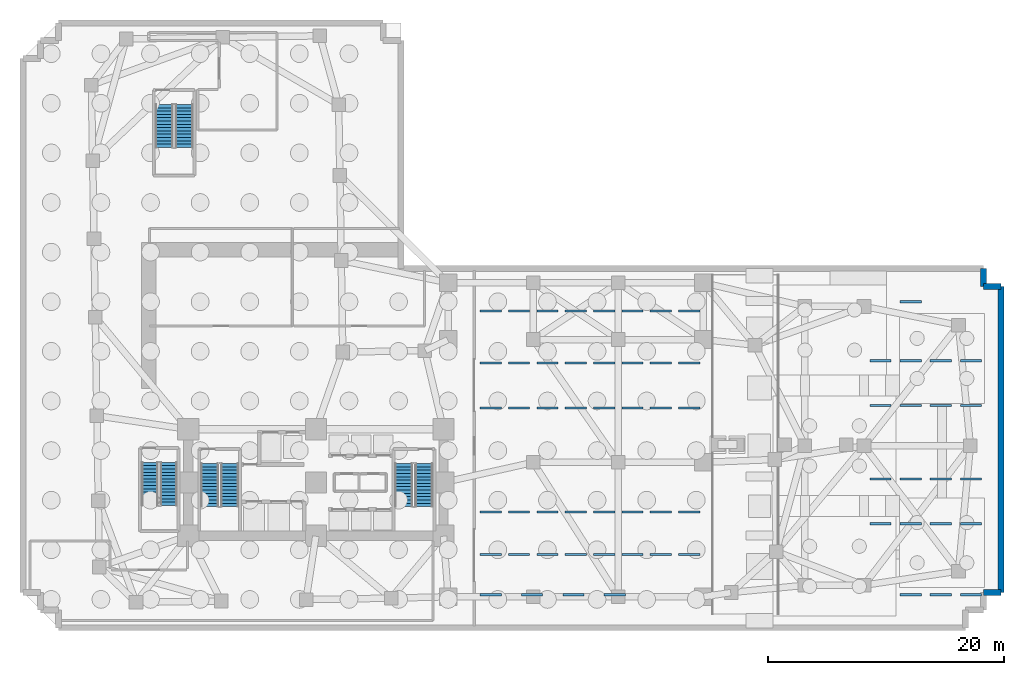
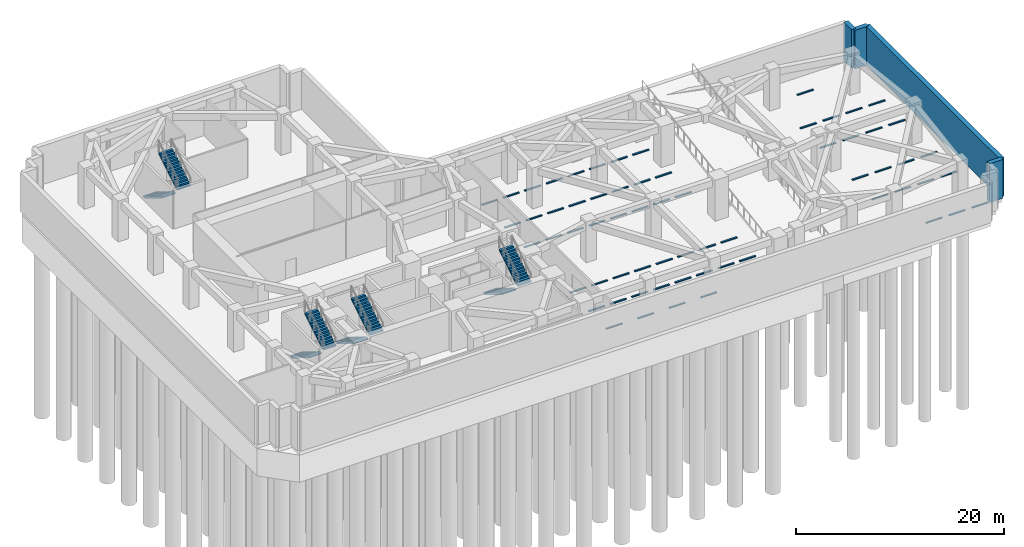
# One storey, part 7 of 11: 64 discrete accessories, 8 stair flights, 4 walls, 4 elements without a shape of their own.
"""IFC4 building model written with IfcOpenShell, lengths in metres."""

from ifc_helpers import new_model, si_unit, direction, frame, frame_2d, origin, origin_2d, place, context, subcontext, project, spatial, polyline, rectangle, outline, extrude, material, layer, layer_set, type_object, element, aggregate, save


model = new_model("IFC4")

# Units and contexts
model_context = context("Model", 3, precision=1e-05, world=origin(), true_north=direction((0.0, 1.0)))
body_context = subcontext(model_context, "Body", "Model", "MODEL_VIEW")
ifc_project = project(units=[si_unit("LENGTHUNIT", "METRE"), si_unit("AREAUNIT", "SQUARE_METRE"), si_unit("VOLUMEUNIT", "CUBIC_METRE"), si_unit("PLANEANGLEUNIT", "RADIAN"), si_unit("MASSUNIT", "GRAM", prefix="KILO")], contexts=[model_context])

# Site, building, storey
site_placement = place(None, origin())
site = spatial("IfcSite", under=ifc_project, at=site_placement, CompositionType="ELEMENT")
building_placement = place(site_placement, origin())
building = spatial("IfcBuilding", under=site, at=building_placement, Name="Gaonmaruhae Medical Tower", CompositionType="ELEMENT")
storey_placement = place(building_placement, frame((0.0, 0.0, -9.60009765625)))
storey = spatial("IfcBuildingStorey", under=building, at=storey_placement, Name="B02", CompositionType="ELEMENT", Elevation=-9.60009765625)

# Walls
ifc_material_1 = material(Name="Concrete C50/60", Category="concrete")
ifc_layer = layer(ifc_material_1, 0.5)
ifc_layer_set = layer_set([ifc_layer], Name="Concrete C50/60")
wall_type = type_object("IfcWallType", Name="RW-500 Basement Perimeter Retaining Wall", PredefinedType="USERDEFINED", material=ifc_layer_set)
wall_1_placement = place(storey_placement, frame((82.800048828125, 3.0, 0.0), z_axis=(0.0, 0.0, 1.0), x_axis=(-1.0, 0.0, 0.0)))
element("IfcWall", 1, at=wall_1_placement, inside=storey, type_object=wall_type, Name="B02 Perimeter Retaining Wall RW05", ObjectType="RETAININGWALL", PredefinedType="USERDEFINED", context=body_context, shape_type="SweptSolid", body=[
    extrude(rectangle(XDim=1.5, YDim=0.5, at=frame_2d((0.75, 0.0))), origin(), (0.0, 0.0, 1.0), 4.550048828125),
])
wall_2_placement = place(storey_placement, frame((82.800048828125, 28.89990234375, 0.0), z_axis=(0.0, 0.0, 1.0), x_axis=(0.0, -1.0, 0.0)))
element("IfcWall", 2, at=wall_2_placement, inside=storey, type_object=wall_type, Name="B02 Perimeter Retaining Wall RW06", ObjectType="RETAININGWALL", PredefinedType="USERDEFINED", context=body_context, shape_type="SweptSolid", body=[
    extrude(rectangle(XDim=25.89990234375, YDim=0.5, at=frame_2d((12.949951171875, 0.0))), origin(), (0.0, 0.0, 1.0), 4.550048828125),
])
for number, where, z_axis, x_axis, name in (
    (3, (81.300048828125, 28.89990234375, 0.0), (0.0, 0.0, 1.0), (1.0, 0.0, 0.0), "B02 Perimeter Retaining Wall RW07"),
    (4, (81.300048828125, 30.39990234375, 0.0), (0.0, 0.0, 1.0), (0.0, -1.0, 0.0), "B02 Perimeter Retaining Wall RW08"),
):
    element("IfcWall", number, at=place(storey_placement, frame(where, z_axis=z_axis, x_axis=x_axis)), inside=storey, type_object=wall_type, Name=name, ObjectType="RETAININGWALL", PredefinedType="USERDEFINED", context=body_context, shape_type="SweptSolid", body=[
        extrude(rectangle(XDim=1.5, YDim=0.5, at=frame_2d((0.75, 0.0))), origin(), (0.0, 0.0, 1.0), 4.550048828125),
    ])

# Stair, stair flights
ifc_material_2 = material(Name="Concrete C40/50", Category="concrete")
stair_type_1 = type_object("IfcStairType", Name="ST-T1 Primary Core Escape Dogleg Stair", PredefinedType="TWO_QUARTER_TURN_STAIR", material=ifc_material_2)
stair_1_placement = place(storey_placement, origin())
stair_1 = element("IfcStair", 5, at=stair_1_placement, inside=storey, type_object=stair_type_1, Name="B02 Protected Escape Stair ST-01", PredefinedType="TWO_QUARTER_TURN_STAIR")
stair_flight_type_1 = type_object("IfcStairFlightType", Name="SF-T1 Primary Core Precast Stair Flight", PredefinedType="STRAIGHT", material=ifc_material_2)
stair_flight_1_placement = place(storey_placement, frame((15.800048828125, 13.89990234375, 0.0), z_axis=(0.0, 0.0, 1.0), x_axis=(0.0, -1.0, 0.0)))
stair_flight_1 = element("IfcStairFlight", 6, at=stair_flight_1_placement, type_object=stair_flight_type_1, Name="ST-01 flight 1", NumberOfRisers=14, NumberOfTreads=13, PredefinedType="STRAIGHT", RiserHeight=0.171428571, TreadLength=0.28, context=body_context, shape_type="SweptSolid", body=[
    extrude(outline(polyline([(0.0, 0.0), (0.0, 0.17138671875), (0.280029296875, 0.17138671875), (0.280029296875, 0.3427734375), (0.56005859375, 0.3427734375), (0.56005859375, 0.514404296875), (0.840087890625, 0.514404296875), (0.840087890625, 0.685791015625), (1.1201171875, 0.685791015625), (1.1201171875, 0.857177734375), (1.39990234375, 0.857177734375), (1.39990234375, 1.028564453125), (1.679931640625, 1.028564453125), (1.679931640625, 1.199951171875), (1.9599609375, 1.199951171875), (1.9599609375, 1.371337890625), (2.239990234375, 1.371337890625), (2.239990234375, 1.54296875), (2.52001953125, 1.54296875), (2.52001953125, 1.71435546875), (2.800048828125, 1.71435546875), (2.800048828125, 1.8857421875), (3.080078125, 1.8857421875), (3.080078125, 2.05712890625), (3.360107421875, 2.05712890625), (3.360107421875, 2.228515625), (3.639892578125, 2.228515625), (3.639892578125, 2.39990234375), (3.639892578125, 2.052734375), (0.287109375, 0.0), (0.0, 0.0)])), frame((0.0, 0.75, 0.0), z_axis=(0.0, -1.0, 0.0), x_axis=(1.0, 0.0, 0.0)), (0.0, 0.0, 1.0), 1.5),
])
stair_flight_2_placement = place(storey_placement, frame((17.5, 10.260009765625, 2.400146484375), z_axis=(0.0, 0.0, 1.0), x_axis=(0.0, 1.0, 0.0)))
stair_flight_2 = element("IfcStairFlight", 7, at=stair_flight_2_placement, type_object=stair_flight_type_1, Name="ST-01 flight 2", NumberOfRisers=14, NumberOfTreads=13, PredefinedType="STRAIGHT", RiserHeight=0.171428571, TreadLength=0.28, context=body_context, shape_type="SweptSolid", body=[
    extrude(outline(polyline([(0.0, 0.0), (0.0, 0.17138671875), (0.280029296875, 0.17138671875), (0.280029296875, 0.3427734375), (0.56005859375, 0.3427734375), (0.56005859375, 0.514404296875), (0.840087890625, 0.514404296875), (0.840087890625, 0.685791015625), (1.1201171875, 0.685791015625), (1.1201171875, 0.857177734375), (1.39990234375, 0.857177734375), (1.39990234375, 1.028564453125), (1.679931640625, 1.028564453125), (1.679931640625, 1.199951171875), (1.9599609375, 1.199951171875), (1.9599609375, 1.371337890625), (2.239990234375, 1.371337890625), (2.239990234375, 1.54296875), (2.52001953125, 1.54296875), (2.52001953125, 1.71435546875), (2.800048828125, 1.71435546875), (2.800048828125, 1.8857421875), (3.080078125, 1.8857421875), (3.080078125, 2.05712890625), (3.360107421875, 2.05712890625), (3.360107421875, 2.228515625), (3.639892578125, 2.228515625), (3.639892578125, 2.39990234375), (3.639892578125, 2.052734375), (0.287109375, 0.0), (0.0, 0.0)])), frame((0.0, 0.75, 0.0), z_axis=(0.0, -1.0, 0.0), x_axis=(1.0, 0.0, 0.0)), (0.0, 0.0, 1.0), 1.5),
])
aggregate(stair_1, [stair_flight_1, stair_flight_2])

stair_2_placement = place(storey_placement, origin())
stair_2 = element("IfcStair", 8, at=stair_2_placement, inside=storey, type_object=stair_type_1, Name="B02 Protected Escape Stair ST-02", PredefinedType="TWO_QUARTER_TURN_STAIR")
stair_flight_3_placement = place(storey_placement, frame((32.25, 13.89990234375, 0.0), z_axis=(0.0, 0.0, 1.0), x_axis=(0.0, -1.0, 0.0)))
stair_flight_3 = element("IfcStairFlight", 9, at=stair_flight_3_placement, type_object=stair_flight_type_1, Name="ST-02 flight 1", NumberOfRisers=14, NumberOfTreads=13, PredefinedType="STRAIGHT", RiserHeight=0.171428571, TreadLength=0.28, context=body_context, shape_type="SweptSolid", body=[
    extrude(outline(polyline([(0.0, 0.0), (0.0, 0.17138671875), (0.280029296875, 0.17138671875), (0.280029296875, 0.3427734375), (0.56005859375, 0.3427734375), (0.56005859375, 0.514404296875), (0.840087890625, 0.514404296875), (0.840087890625, 0.685791015625), (1.1201171875, 0.685791015625), (1.1201171875, 0.857177734375), (1.39990234375, 0.857177734375), (1.39990234375, 1.028564453125), (1.679931640625, 1.028564453125), (1.679931640625, 1.199951171875), (1.9599609375, 1.199951171875), (1.9599609375, 1.371337890625), (2.239990234375, 1.371337890625), (2.239990234375, 1.54296875), (2.52001953125, 1.54296875), (2.52001953125, 1.71435546875), (2.800048828125, 1.71435546875), (2.800048828125, 1.8857421875), (3.080078125, 1.8857421875), (3.080078125, 2.05712890625), (3.360107421875, 2.05712890625), (3.360107421875, 2.228515625), (3.639892578125, 2.228515625), (3.639892578125, 2.39990234375), (3.639892578125, 2.052734375), (0.287109375, 0.0), (0.0, 0.0)])), frame((0.0, 0.75, 0.0), z_axis=(0.0, -1.0, 0.0), x_axis=(1.0, 0.0, 0.0)), (0.0, 0.0, 1.0), 1.5),
])
stair_flight_4_placement = place(storey_placement, frame((33.949951171875, 10.260009765625, 2.400146484375), z_axis=(0.0, 0.0, 1.0), x_axis=(0.0, 1.0, 0.0)))
stair_flight_4 = element("IfcStairFlight", 10, at=stair_flight_4_placement, type_object=stair_flight_type_1, Name="ST-02 flight 2", NumberOfRisers=14, NumberOfTreads=13, PredefinedType="STRAIGHT", RiserHeight=0.171428571, TreadLength=0.28, context=body_context, shape_type="SweptSolid", body=[
    extrude(outline(polyline([(0.0, 0.0), (0.0, 0.17138671875), (0.280029296875, 0.17138671875), (0.280029296875, 0.3427734375), (0.56005859375, 0.3427734375), (0.56005859375, 0.514404296875), (0.840087890625, 0.514404296875), (0.840087890625, 0.685791015625), (1.1201171875, 0.685791015625), (1.1201171875, 0.857177734375), (1.39990234375, 0.857177734375), (1.39990234375, 1.028564453125), (1.679931640625, 1.028564453125), (1.679931640625, 1.199951171875), (1.9599609375, 1.199951171875), (1.9599609375, 1.371337890625), (2.239990234375, 1.371337890625), (2.239990234375, 1.54296875), (2.52001953125, 1.54296875), (2.52001953125, 1.71435546875), (2.800048828125, 1.71435546875), (2.800048828125, 1.8857421875), (3.080078125, 1.8857421875), (3.080078125, 2.05712890625), (3.360107421875, 2.05712890625), (3.360107421875, 2.228515625), (3.639892578125, 2.228515625), (3.639892578125, 2.39990234375), (3.639892578125, 2.052734375), (0.287109375, 0.0), (0.0, 0.0)])), frame((0.0, 0.75, 0.0), z_axis=(0.0, -1.0, 0.0), x_axis=(1.0, 0.0, 0.0)), (0.0, 0.0, 1.0), 1.5),
])
aggregate(stair_2, [stair_flight_3, stair_flight_4])

stair_type_2 = type_object("IfcStairType", Name="ST-T2 Zone 1 Escape Dogleg Stair", PredefinedType="TWO_QUARTER_TURN_STAIR", material=ifc_material_2)
stair_3_placement = place(storey_placement, origin())
stair_3 = element("IfcStair", 11, at=stair_3_placement, inside=storey, type_object=stair_type_2, Name="B02 Protected Escape Stair ST-03", PredefinedType="TWO_QUARTER_TURN_STAIR")
stair_flight_type_2 = type_object("IfcStairFlightType", Name="SF-T2 Zone 1 Precast Stair Flight", PredefinedType="STRAIGHT", material=ifc_material_2)
stair_flight_5_placement = place(storey_placement, frame((10.75, 14.0, 0.0), z_axis=(0.0, 0.0, 1.0), x_axis=(0.0, -1.0, 0.0)))
stair_flight_5 = element("IfcStairFlight", 12, at=stair_flight_5_placement, type_object=stair_flight_type_2, Name="ST-03 flight 1", NumberOfRisers=14, NumberOfTreads=13, PredefinedType="STRAIGHT", RiserHeight=0.171428571, TreadLength=0.28, context=body_context, shape_type="SweptSolid", body=[
    extrude(outline(polyline([(0.0, 0.0), (0.0, 0.17138671875), (0.280029296875, 0.17138671875), (0.280029296875, 0.3427734375), (0.56005859375, 0.3427734375), (0.56005859375, 0.514404296875), (0.840087890625, 0.514404296875), (0.840087890625, 0.685791015625), (1.1201171875, 0.685791015625), (1.1201171875, 0.857177734375), (1.39990234375, 0.857177734375), (1.39990234375, 1.028564453125), (1.679931640625, 1.028564453125), (1.679931640625, 1.199951171875), (1.9599609375, 1.199951171875), (1.9599609375, 1.371337890625), (2.239990234375, 1.371337890625), (2.239990234375, 1.54296875), (2.52001953125, 1.54296875), (2.52001953125, 1.71435546875), (2.800048828125, 1.71435546875), (2.800048828125, 1.8857421875), (3.080078125, 1.8857421875), (3.080078125, 2.05712890625), (3.360107421875, 2.05712890625), (3.360107421875, 2.228515625), (3.639892578125, 2.228515625), (3.639892578125, 2.39990234375), (3.639892578125, 2.052734375), (0.287109375, 0.0), (0.0, 0.0)])), frame((0.0, 0.699951171875, 0.0), z_axis=(0.0, -1.0, 0.0), x_axis=(1.0, 0.0, 0.0)), (0.0, 0.0, 1.0), 1.39990234375),
])
stair_flight_6_placement = place(storey_placement, frame((12.35009765625, 10.360107421875, 2.400146484375), z_axis=(0.0, 0.0, 1.0), x_axis=(0.0, 1.0, 0.0)))
stair_flight_6 = element("IfcStairFlight", 13, at=stair_flight_6_placement, type_object=stair_flight_type_2, Name="ST-03 flight 2", NumberOfRisers=14, NumberOfTreads=13, PredefinedType="STRAIGHT", RiserHeight=0.171428571, TreadLength=0.28, context=body_context, shape_type="SweptSolid", body=[
    extrude(outline(polyline([(0.0, 0.0), (0.0, 0.17138671875), (0.280029296875, 0.17138671875), (0.280029296875, 0.3427734375), (0.56005859375, 0.3427734375), (0.56005859375, 0.514404296875), (0.840087890625, 0.514404296875), (0.840087890625, 0.685791015625), (1.1201171875, 0.685791015625), (1.1201171875, 0.857177734375), (1.39990234375, 0.857177734375), (1.39990234375, 1.028564453125), (1.679931640625, 1.028564453125), (1.679931640625, 1.199951171875), (1.9599609375, 1.199951171875), (1.9599609375, 1.371337890625), (2.239990234375, 1.371337890625), (2.239990234375, 1.54296875), (2.52001953125, 1.54296875), (2.52001953125, 1.71435546875), (2.800048828125, 1.71435546875), (2.800048828125, 1.8857421875), (3.080078125, 1.8857421875), (3.080078125, 2.05712890625), (3.360107421875, 2.05712890625), (3.360107421875, 2.228515625), (3.639892578125, 2.228515625), (3.639892578125, 2.39990234375), (3.639892578125, 2.052734375), (0.287109375, 0.0), (0.0, 0.0)])), frame((0.0, 0.699951171875, 0.0), z_axis=(0.0, -1.0, 0.0), x_axis=(1.0, 0.0, 0.0)), (0.0, 0.0, 1.0), 1.39990234375),
])
aggregate(stair_3, [stair_flight_5, stair_flight_6])

stair_type_3 = type_object("IfcStairType", Name="ST-T3 Podium Escape Dogleg Stair", PredefinedType="TWO_QUARTER_TURN_STAIR", material=ifc_material_2)
stair_4_placement = place(storey_placement, origin())
stair_4 = element("IfcStair", 14, at=stair_4_placement, inside=storey, type_object=stair_type_3, Name="B02 Protected Escape Stair ST-05", PredefinedType="TWO_QUARTER_TURN_STAIR")
stair_flight_type_3 = type_object("IfcStairFlightType", Name="SF-T3 Podium Precast Stair Flight", PredefinedType="STRAIGHT", material=ifc_material_2)
stair_flight_7_placement = place(storey_placement, frame((11.949951171875, 44.300048828125, 0.0), z_axis=(0.0, 0.0, 1.0), x_axis=(0.0, -1.0, 0.0)))
stair_flight_7 = element("IfcStairFlight", 15, at=stair_flight_7_placement, type_object=stair_flight_type_3, Name="ST-05 flight 1", NumberOfRisers=14, NumberOfTreads=13, PredefinedType="STRAIGHT", RiserHeight=0.171428571, TreadLength=0.28, context=body_context, shape_type="SweptSolid", body=[
    extrude(outline(polyline([(0.0, 0.0), (0.0, 0.17138671875), (0.280029296875, 0.17138671875), (0.280029296875, 0.3427734375), (0.56005859375, 0.3427734375), (0.56005859375, 0.514404296875), (0.840087890625, 0.514404296875), (0.840087890625, 0.685791015625), (1.1201171875, 0.685791015625), (1.1201171875, 0.857177734375), (1.39990234375, 0.857177734375), (1.39990234375, 1.028564453125), (1.679931640625, 1.028564453125), (1.679931640625, 1.199951171875), (1.9599609375, 1.199951171875), (1.9599609375, 1.371337890625), (2.239990234375, 1.371337890625), (2.239990234375, 1.54296875), (2.52001953125, 1.54296875), (2.52001953125, 1.71435546875), (2.800048828125, 1.71435546875), (2.800048828125, 1.8857421875), (3.080078125, 1.8857421875), (3.080078125, 2.05712890625), (3.360107421875, 2.05712890625), (3.360107421875, 2.228515625), (3.639892578125, 2.228515625), (3.639892578125, 2.39990234375), (3.639892578125, 2.052734375), (0.287109375, 0.0), (0.0, 0.0)])), frame((0.0, 0.75, 0.0), z_axis=(0.0, -1.0, 0.0), x_axis=(1.0, 0.0, 0.0)), (0.0, 0.0, 1.0), 1.5),
])
stair_flight_8_placement = place(storey_placement, frame((13.64990234375, 40.659912109375, 2.400146484375), z_axis=(0.0, 0.0, 1.0), x_axis=(0.0, 1.0, 0.0)))
stair_flight_8 = element("IfcStairFlight", 16, at=stair_flight_8_placement, type_object=stair_flight_type_3, Name="ST-05 flight 2", NumberOfRisers=14, NumberOfTreads=13, PredefinedType="STRAIGHT", RiserHeight=0.171428571, TreadLength=0.28, context=body_context, shape_type="SweptSolid", body=[
    extrude(outline(polyline([(0.0, 0.0), (0.0, 0.17138671875), (0.280029296875, 0.17138671875), (0.280029296875, 0.3427734375), (0.56005859375, 0.3427734375), (0.56005859375, 0.514404296875), (0.840087890625, 0.514404296875), (0.840087890625, 0.685791015625), (1.1201171875, 0.685791015625), (1.1201171875, 0.857177734375), (1.39990234375, 0.857177734375), (1.39990234375, 1.028564453125), (1.679931640625, 1.028564453125), (1.679931640625, 1.199951171875), (1.9599609375, 1.199951171875), (1.9599609375, 1.371337890625), (2.239990234375, 1.371337890625), (2.239990234375, 1.54296875), (2.52001953125, 1.54296875), (2.52001953125, 1.71435546875), (2.800048828125, 1.71435546875), (2.800048828125, 1.8857421875), (3.080078125, 1.8857421875), (3.080078125, 2.05712890625), (3.360107421875, 2.05712890625), (3.360107421875, 2.228515625), (3.639892578125, 2.228515625), (3.639892578125, 2.39990234375), (3.639892578125, 2.052734375), (0.287109375, 0.0), (0.0, 0.0)])), frame((0.0, 0.75, 0.0), z_axis=(0.0, -1.0, 0.0), x_axis=(1.0, 0.0, 0.0)), (0.0, 0.0, 1.0), 1.5),
])
aggregate(stair_4, [stair_flight_7, stair_flight_8])

# Discrete accessories
ifc_material_3 = material(Name="Precast concrete C45/55", Category="concrete")
discrete_accessory_type_1 = type_object("IfcDiscreteAccessoryType", Name="PK-WS1 Car Parking Bay Wheel Stop", PredefinedType="USERDEFINED", material=ifc_material_3)
for number, where, z_axis, x_axis, name in (
    (17, (39.60009765625, 6.199951171875, 0.0), (0.0, 0.0, 1.0), (1.0, 0.0, 0.0), "B02 Car Parking Bay 01 Wheel Stop"),
    (18, (42.0, 6.199951171875, 0.0), (0.0, 0.0, 1.0), (1.0, 0.0, 0.0), "B02 Car Parking Bay 02 Wheel Stop"),
    (19, (44.39990234375, 6.199951171875, 0.0), (0.0, 0.0, 1.0), (1.0, 0.0, 0.0), "B02 Car Parking Bay 03 Wheel Stop"),
    (20, (46.800048828125, 6.199951171875, 0.0), (0.0, 0.0, 1.0), (1.0, 0.0, 0.0), "B02 Car Parking Bay 04 Wheel Stop"),
    (21, (49.199951171875, 6.199951171875, 0.0), (0.0, 0.0, 1.0), (1.0, 0.0, 0.0), "B02 Car Parking Bay 05 Wheel Stop"),
    (22, (51.60009765625, 6.199951171875, 0.0), (0.0, 0.0, 1.0), (1.0, 0.0, 0.0), "B02 Car Parking Bay 06 Wheel Stop"),
    (23, (54.0, 6.199951171875, 0.0), (0.0, 0.0, 1.0), (1.0, 0.0, 0.0), "B02 Car Parking Bay 07 Wheel Stop"),
    (24, (56.39990234375, 6.199951171875, 0.0), (0.0, 0.0, 1.0), (1.0, 0.0, 0.0), "B02 Car Parking Bay 08 Wheel Stop"),
    (25, (39.60009765625, 9.800048828125, 0.0), (0.0, 0.0, 1.0), (1.0, 0.0, 0.0), "B02 Car Parking Bay 09 Wheel Stop"),
    (26, (42.0, 9.800048828125, 0.0), (0.0, 0.0, 1.0), (1.0, 0.0, 0.0), "B02 Car Parking Bay 10 Wheel Stop"),
    (27, (44.39990234375, 9.800048828125, 0.0), (0.0, 0.0, 1.0), (1.0, 0.0, 0.0), "B02 Car Parking Bay 11 Wheel Stop"),
    (28, (46.800048828125, 9.800048828125, 0.0), (0.0, 0.0, 1.0), (1.0, 0.0, 0.0), "B02 Car Parking Bay 12 Wheel Stop"),
    (29, (49.199951171875, 9.800048828125, 0.0), (0.0, 0.0, 1.0), (1.0, 0.0, 0.0), "B02 Car Parking Bay 13 Wheel Stop"),
    (30, (51.60009765625, 9.800048828125, 0.0), (0.0, 0.0, 1.0), (1.0, 0.0, 0.0), "B02 Car Parking Bay 14 Wheel Stop"),
    (31, (54.0, 9.800048828125, 0.0), (0.0, 0.0, 1.0), (1.0, 0.0, 0.0), "B02 Car Parking Bay 15 Wheel Stop"),
    (32, (56.39990234375, 9.800048828125, 0.0), (0.0, 0.0, 1.0), (1.0, 0.0, 0.0), "B02 Car Parking Bay 16 Wheel Stop"),
    (33, (39.60009765625, 18.60009765625, 0.0), (0.0, 0.0, 1.0), (1.0, 0.0, 0.0), "B02 Car Parking Bay 17 Wheel Stop"),
    (34, (42.0, 18.60009765625, 0.0), (0.0, 0.0, 1.0), (1.0, 0.0, 0.0), "B02 Car Parking Bay 18 Wheel Stop"),
    (35, (44.39990234375, 18.60009765625, 0.0), (0.0, 0.0, 1.0), (1.0, 0.0, 0.0), "B02 Car Parking Bay 19 Wheel Stop"),
    (36, (46.800048828125, 18.60009765625, 0.0), (0.0, 0.0, 1.0), (1.0, 0.0, 0.0), "B02 Car Parking Bay 20 Wheel Stop"),
    (37, (49.199951171875, 18.60009765625, 0.0), (0.0, 0.0, 1.0), (1.0, 0.0, 0.0), "B02 Car Parking Bay 21 Wheel Stop"),
    (38, (51.60009765625, 18.60009765625, 0.0), (0.0, 0.0, 1.0), (1.0, 0.0, 0.0), "B02 Car Parking Bay 22 Wheel Stop"),
    (39, (54.0, 18.60009765625, 0.0), (0.0, 0.0, 1.0), (1.0, 0.0, 0.0), "B02 Car Parking Bay 23 Wheel Stop"),
    (40, (56.39990234375, 18.60009765625, 0.0), (0.0, 0.0, 1.0), (1.0, 0.0, 0.0), "B02 Car Parking Bay 24 Wheel Stop"),
    (41, (39.60009765625, 22.39990234375, 0.0), (0.0, 0.0, 1.0), (1.0, 0.0, 0.0), "B02 Car Parking Bay 25 Wheel Stop"),
    (42, (42.0, 22.39990234375, 0.0), (0.0, 0.0, 1.0), (1.0, 0.0, 0.0), "B02 Car Parking Bay 26 Wheel Stop"),
    (43, (44.39990234375, 22.39990234375, 0.0), (0.0, 0.0, 1.0), (1.0, 0.0, 0.0), "B02 Car Parking Bay 27 Wheel Stop"),
    (44, (46.800048828125, 22.39990234375, 0.0), (0.0, 0.0, 1.0), (1.0, 0.0, 0.0), "B02 Car Parking Bay 28 Wheel Stop"),
    (45, (49.199951171875, 22.39990234375, 0.0), (0.0, 0.0, 1.0), (1.0, 0.0, 0.0), "B02 Car Parking Bay 29 Wheel Stop"),
    (46, (51.60009765625, 22.39990234375, 0.0), (0.0, 0.0, 1.0), (1.0, 0.0, 0.0), "B02 Car Parking Bay 30 Wheel Stop"),
    (47, (54.0, 22.39990234375, 0.0), (0.0, 0.0, 1.0), (1.0, 0.0, 0.0), "B02 Car Parking Bay 31 Wheel Stop"),
    (48, (56.39990234375, 22.39990234375, 0.0), (0.0, 0.0, 1.0), (1.0, 0.0, 0.0), "B02 Car Parking Bay 32 Wheel Stop"),
    (49, (39.60009765625, 26.800048828125, 0.0), (0.0, 0.0, 1.0), (1.0, 0.0, 0.0), "B02 Car Parking Bay 33 Wheel Stop"),
    (50, (42.0, 26.800048828125, 0.0), (0.0, 0.0, 1.0), (1.0, 0.0, 0.0), "B02 Car Parking Bay 34 Wheel Stop"),
    (51, (44.39990234375, 26.800048828125, 0.0), (0.0, 0.0, 1.0), (1.0, 0.0, 0.0), "B02 Car Parking Bay 35 Wheel Stop"),
    (52, (46.800048828125, 26.800048828125, 0.0), (0.0, 0.0, 1.0), (1.0, 0.0, 0.0), "B02 Car Parking Bay 36 Wheel Stop"),
    (53, (49.199951171875, 26.800048828125, 0.0), (0.0, 0.0, 1.0), (1.0, 0.0, 0.0), "B02 Car Parking Bay 37 Wheel Stop"),
    (54, (51.60009765625, 26.800048828125, 0.0), (0.0, 0.0, 1.0), (1.0, 0.0, 0.0), "B02 Car Parking Bay 38 Wheel Stop"),
    (55, (54.0, 26.800048828125, 0.0), (0.0, 0.0, 1.0), (1.0, 0.0, 0.0), "B02 Car Parking Bay 39 Wheel Stop"),
    (56, (56.39990234375, 26.800048828125, 0.0), (0.0, 0.0, 1.0), (1.0, 0.0, 0.0), "B02 Car Parking Bay 40 Wheel Stop"),
    (57, (75.14990234375, 2.800048828125, 0.0), (0.0, 0.0, 1.0), (1.0, 0.0, 0.0), "B02 Car Parking Bay 41 Wheel Stop"),
    (58, (77.699951171875, 2.800048828125, 0.0), (0.0, 0.0, 1.0), (1.0, 0.0, 0.0), "B02 Car Parking Bay 42 Wheel Stop"),
    (59, (80.25, 2.800048828125, 0.0), (0.0, 0.0, 1.0), (1.0, 0.0, 0.0), "B02 Car Parking Bay 43 Wheel Stop"),
    (60, (72.60009765625, 8.800048828125, 0.0), (0.0, 0.0, 1.0), (1.0, 0.0, 0.0), "B02 Car Parking Bay 44 Wheel Stop"),
    (61, (75.14990234375, 8.800048828125, 0.0), (0.0, 0.0, 1.0), (1.0, 0.0, 0.0), "B02 Car Parking Bay 45 Wheel Stop"),
    (62, (77.699951171875, 8.800048828125, 0.0), (0.0, 0.0, 1.0), (1.0, 0.0, 0.0), "B02 Car Parking Bay 46 Wheel Stop"),
    (63, (80.25, 8.800048828125, 0.0), (0.0, 0.0, 1.0), (1.0, 0.0, 0.0), "B02 Car Parking Bay 47 Wheel Stop"),
    (64, (72.60009765625, 12.60009765625, 0.0), (0.0, 0.0, 1.0), (1.0, 0.0, 0.0), "B02 Car Parking Bay 48 Wheel Stop"),
    (65, (75.14990234375, 12.60009765625, 0.0), (0.0, 0.0, 1.0), (1.0, 0.0, 0.0), "B02 Car Parking Bay 49 Wheel Stop"),
    (66, (77.699951171875, 12.60009765625, 0.0), (0.0, 0.0, 1.0), (1.0, 0.0, 0.0), "B02 Car Parking Bay 50 Wheel Stop"),
    (67, (80.25, 12.60009765625, 0.0), (0.0, 0.0, 1.0), (1.0, 0.0, 0.0), "B02 Car Parking Bay 51 Wheel Stop"),
    (68, (72.60009765625, 18.800048828125, 0.0), (0.0, 0.0, 1.0), (1.0, 0.0, 0.0), "B02 Car Parking Bay 52 Wheel Stop"),
    (69, (75.14990234375, 18.800048828125, 0.0), (0.0, 0.0, 1.0), (1.0, 0.0, 0.0), "B02 Car Parking Bay 53 Wheel Stop"),
    (70, (77.699951171875, 18.800048828125, 0.0), (0.0, 0.0, 1.0), (1.0, 0.0, 0.0), "B02 Car Parking Bay 54 Wheel Stop"),
    (71, (80.25, 18.800048828125, 0.0), (0.0, 0.0, 1.0), (1.0, 0.0, 0.0), "B02 Car Parking Bay 55 Wheel Stop"),
    (72, (72.60009765625, 22.60009765625, 0.0), (0.0, 0.0, 1.0), (1.0, 0.0, 0.0), "B02 Car Parking Bay 56 Wheel Stop"),
    (73, (75.14990234375, 22.60009765625, 0.0), (0.0, 0.0, 1.0), (1.0, 0.0, 0.0), "B02 Car Parking Bay 57 Wheel Stop"),
    (74, (77.699951171875, 22.60009765625, 0.0), (0.0, 0.0, 1.0), (1.0, 0.0, 0.0), "B02 Car Parking Bay 58 Wheel Stop"),
    (75, (80.25, 22.60009765625, 0.0), (0.0, 0.0, 1.0), (1.0, 0.0, 0.0), "B02 Car Parking Bay 59 Wheel Stop"),
    (76, (75.14990234375, 27.60009765625, 0.0), (0.0, 0.0, 1.0), (1.0, 0.0, 0.0), "B02 Car Parking Bay 60 Wheel Stop"),
):
    element("IfcDiscreteAccessory", number, at=place(storey_placement, frame(where, z_axis=z_axis, x_axis=x_axis)), inside=storey, type_object=discrete_accessory_type_1, Name=name, ObjectType="WHEEL_STOP", PredefinedType="USERDEFINED", context=body_context, shape_type="SweptSolid", body=[
        extrude(rectangle(XDim=1.800048828125, YDim=0.179931640625, at=origin_2d()), origin(), (0.0, 0.0, 1.0), 0.1201171875),
    ])
discrete_accessory_type_2 = type_object("IfcDiscreteAccessoryType", Name="PK-WSA Accessible Parking Bay Wheel Stop", PredefinedType="USERDEFINED", material=ifc_material_3)
for number, where, z_axis, x_axis, name in (
    (77, (39.60009765625, 2.800048828125, 0.0), (0.0, 0.0, 1.0), (1.0, 0.0, 0.0), "B02 Accessible Parking Bay 01 Wheel Stop"),
    (78, (43.10009765625, 2.800048828125, 0.0), (0.0, 0.0, 1.0), (1.0, 0.0, 0.0), "B02 Accessible Parking Bay 02 Wheel Stop"),
    (79, (46.60009765625, 2.800048828125, 0.0), (0.0, 0.0, 1.0), (1.0, 0.0, 0.0), "B02 Accessible Parking Bay 03 Wheel Stop"),
    (80, (50.10009765625, 2.800048828125, 0.0), (0.0, 0.0, 1.0), (1.0, 0.0, 0.0), "B02 Accessible Parking Bay 04 Wheel Stop"),
):
    element("IfcDiscreteAccessory", number, at=place(storey_placement, frame(where, z_axis=z_axis, x_axis=x_axis)), inside=storey, type_object=discrete_accessory_type_2, Name=name, ObjectType="WHEEL_STOP", PredefinedType="USERDEFINED", context=body_context, shape_type="SweptSolid", body=[
        extrude(rectangle(XDim=1.800048828125, YDim=0.179931640625, at=origin_2d()), origin(), (0.0, 0.0, 1.0), 0.1201171875),
    ])

save(model, "model.ifc")
